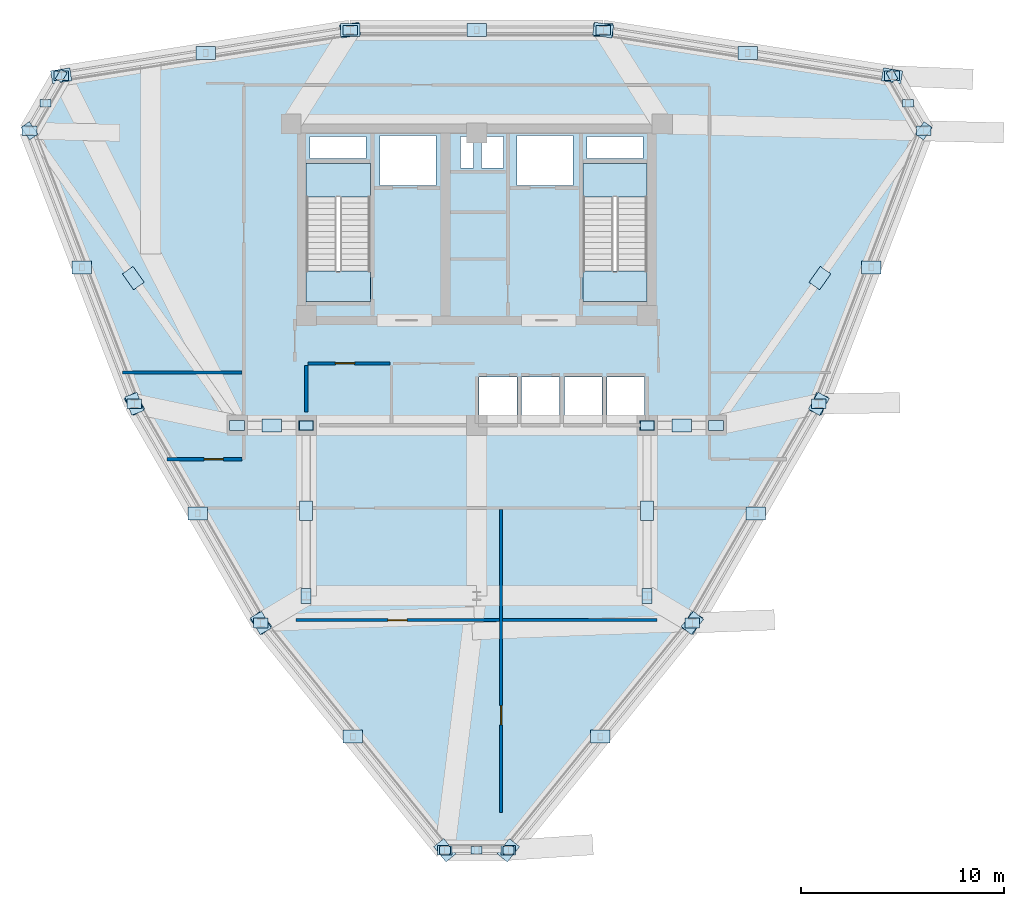
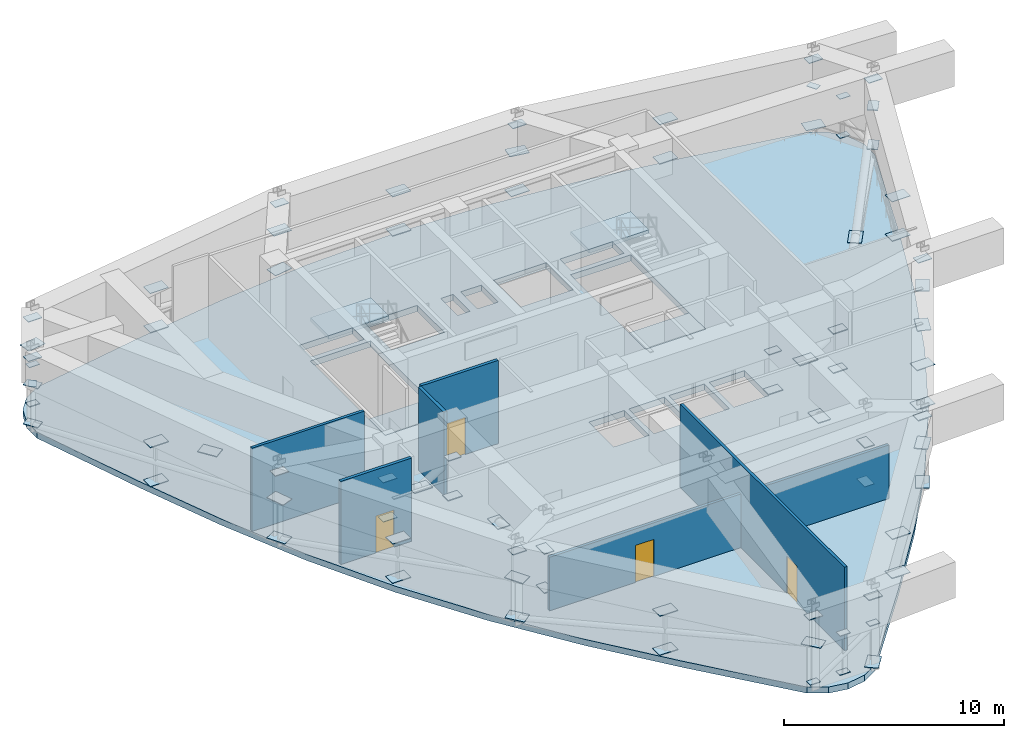
# One storey, part 7 of 12: 78 plates, 6 walls, 5 slabs, 4 doors, 4 openings, 2 elements without a shape of their own.
"""IFC4 building model written with IfcOpenShell, lengths in metres."""

from ifc_helpers import new_model, si_unit, derived_unit, direction, frame, frame_2d, origin, origin_2d, place, context, subcontext, project, spatial, polyline, rectangle, outline, extrude, source, transform, mapped, material, layer, layer_set, type_object, element, fill, aggregate, save


model = new_model("IFC4")

# Units and contexts
model_context = context("Model", 3, precision=1e-05, world=origin(), true_north=direction((0.0, 1.0)))
body_context = subcontext(model_context, "Body", "Model", "MODEL_VIEW")
ifc_project = project(units=[si_unit("LENGTHUNIT", "METRE"), si_unit("AREAUNIT", "SQUARE_METRE"), si_unit("VOLUMEUNIT", "CUBIC_METRE"), si_unit("PLANEANGLEUNIT", "RADIAN"), si_unit("MASSUNIT", "GRAM", prefix="KILO"), derived_unit("THERMALTRANSMITTANCEUNIT", [(si_unit("POWERUNIT", "WATT"), 1), (si_unit("LENGTHUNIT", "METRE"), -2), (si_unit("THERMODYNAMICTEMPERATUREUNIT", "KELVIN"), -1)])], contexts=[model_context])

# Site, building, storey
site_placement = place(None, origin())
site = spatial("IfcSite", under=ifc_project, at=site_placement, CompositionType="ELEMENT")
building_placement = place(site_placement, origin())
building = spatial("IfcBuilding", under=site, at=building_placement, Name="Korsvarv Bourse and Concert Hall", CompositionType="ELEMENT")
storey_placement = place(building_placement, frame((0.0, 0.0, 201.0)))
storey = spatial("IfcBuildingStorey", under=building, at=storey_placement, Name="L52", CompositionType="ELEMENT", Elevation=201.0)

# Slabs
ifc_material_1 = material(Name="Precast concrete C45/55", Category="concrete")
ifc_layer_1 = layer(ifc_material_1, 0.199951171875)
ifc_layer_set_1 = layer_set([ifc_layer_1], Name="Precast concrete C45/55")
slab_type_1 = type_object("IfcSlabType", Name="SLB-FLND-T", PredefinedType="LANDING", material=ifc_layer_set_1)
slab_1_placement = place(storey_placement, frame((0.0, 0.0, -0.199951171875)))
element("IfcSlab", 1, at=slab_1_placement, inside=storey, type_object=slab_type_1, Name="L52 Stair ST-T1 Floor Landing Slab", PredefinedType="LANDING", context=body_context, shape_type="SweptSolid", body=[
    extrude(outline(polyline([(30.760009765625, 38.5), (30.760009765625, 40.0), (27.60009765625, 40.0), (27.60009765625, 38.5), (30.760009765625, 38.5)])), origin(), (0.0, 0.0, 1.0), 0.199951171875),
])
slab_2_placement = place(storey_placement, frame((0.0, 0.0, -0.199951171875)))
element("IfcSlab", 2, at=slab_2_placement, inside=storey, type_object=slab_type_1, Name="L52 Stair ST-T2 Floor Landing Slab", PredefinedType="LANDING", context=body_context, shape_type="SweptSolid", body=[
    extrude(outline(polyline([(44.39990234375, 38.5), (44.39990234375, 40.0), (41.239990234375, 40.0), (41.239990234375, 38.5), (44.39990234375, 38.5)])), origin(), (0.0, 0.0, 1.0), 0.199951171875),
])
ifc_material_2 = material(Name="Concrete C55/67", Category="concrete")
ifc_layer_2 = layer(ifc_material_2, 0.340087890625)
ifc_layer_set_2 = layer_set([ifc_layer_2], Name="Concrete C55/67")
slab_type_2 = type_object("IfcSlabType", Name="SLB-REF", PredefinedType="FLOOR", material=ifc_layer_set_2)
slab_3_placement = place(storey_placement, frame((0.0, 0.0, -0.340087890625)))
element("IfcSlab", 3, at=slab_3_placement, inside=storey, type_object=slab_type_2, Name="L52 tower structural floor slab", PredefinedType="FLOOR", context=body_context, shape_type="SweptSolid", body=[
    extrude(outline(polyline([(57.580810546875, 45.571044921875), (55.926025390625, 40.9873046875), (54.166015625, 36.489013671875), (52.205078125, 32.126953125), (49.977294921875, 27.93017578125), (47.45654296875, 23.902587890625), (44.659423828125, 20.023193359375), (41.64404296875, 16.25), (38.501708984375, 12.52490234375), (38.5, 12.523193359375), (37.781494140625, 11.6669921875), (36.947998046875, 11.185791015625), (36.0, 11.0185546875), (35.052001953125, 11.185791015625), (34.218505859375, 11.6669921875), (33.5, 12.523193359375), (33.498291015625, 12.52490234375), (30.35595703125, 16.25), (27.340576171875, 20.023193359375), (24.54345703125, 23.902587890625), (22.022705078125, 27.93017578125), (19.794921875, 32.126953125), (17.833984375, 36.489013671875), (16.073974609375, 40.9873046875), (14.419189453125, 45.571044921875), (14.41845703125, 45.5732421875), (14.0361328125, 46.62353515625), (14.0361328125, 47.586181640625), (14.365478515625, 48.49072265625), (14.984130859375, 49.22802734375), (15.81787109375, 49.70947265625), (16.918701171875, 49.903564453125), (16.9208984375, 49.904052734375), (21.718017578125, 50.762939453125), (26.493408203125, 51.48779296875), (31.251708984375, 51.970458984375), (36.0, 52.1396484375), (40.748291015625, 51.970458984375), (45.506591796875, 51.48779296875), (50.281982421875, 50.762939453125), (55.0791015625, 49.904052734375), (55.081298828125, 49.903564453125), (56.18212890625, 49.70947265625), (57.015869140625, 49.22802734375), (57.634521484375, 48.49072265625), (57.9638671875, 47.586181640625), (57.9638671875, 46.62353515625), (57.58154296875, 45.5732421875), (57.580810546875, 45.571044921875)]), holes=[polyline([(30.760009765625, 38.5), (30.760009765625, 45.300048828125), (27.60009765625, 45.300048828125), (27.60009765625, 38.5), (30.760009765625, 38.5)]), polyline([(44.39990234375, 38.5), (44.39990234375, 45.300048828125), (41.239990234375, 45.300048828125), (41.239990234375, 38.5), (44.39990234375, 38.5)]), polyline([(31.239990234375, 44.219970703125), (34.0, 44.219970703125), (34.0, 46.679931640625), (31.239990234375, 46.679931640625), (31.239990234375, 44.219970703125)]), polyline([(38.0, 44.219970703125), (40.760009765625, 44.219970703125), (40.760009765625, 46.679931640625), (38.0, 46.679931640625), (38.0, 44.219970703125)]), polyline([(36.1201171875, 32.52001953125), (37.97998046875, 32.52001953125), (37.97998046875, 34.780029296875), (36.1201171875, 34.780029296875), (36.1201171875, 32.52001953125)]), polyline([(38.219970703125, 32.52001953125), (40.080078125, 32.52001953125), (40.080078125, 34.780029296875), (38.219970703125, 34.780029296875), (38.219970703125, 32.52001953125)]), polyline([(40.320068359375, 32.52001953125), (42.179931640625, 32.52001953125), (42.179931640625, 34.780029296875), (40.320068359375, 34.780029296875), (40.320068359375, 32.52001953125)]), polyline([(42.419921875, 32.52001953125), (44.280029296875, 32.52001953125), (44.280029296875, 34.780029296875), (42.419921875, 34.780029296875), (42.419921875, 32.52001953125)]), polyline([(27.800048828125, 45.56005859375), (30.56005859375, 45.56005859375), (30.56005859375, 46.6201171875), (27.800048828125, 46.6201171875), (27.800048828125, 45.56005859375)]), polyline([(41.43994140625, 45.56005859375), (44.199951171875, 45.56005859375), (44.199951171875, 46.6201171875), (41.43994140625, 46.6201171875), (41.43994140625, 45.56005859375)]), polyline([(35.199951171875, 45.080078125), (35.840087890625, 45.080078125), (35.840087890625, 46.6201171875), (35.199951171875, 46.6201171875), (35.199951171875, 45.080078125)]), polyline([(36.239990234375, 45.080078125), (37.320068359375, 45.080078125), (37.320068359375, 46.6201171875), (36.239990234375, 46.6201171875), (36.239990234375, 45.080078125)])]), origin(), (0.0, 0.0, 1.0), 0.340087890625),
])

# Stair, slab
stair_type = type_object("IfcStairType", Name="STR-TYPE-02", PredefinedType="HALF_TURN_STAIR", material=ifc_material_1)
stair_1_placement = place(storey_placement, origin())
stair_1 = element("IfcStair", 4, at=stair_1_placement, inside=storey, type_object=stair_type, Name="L52 Tower West Exit Stair ST-T1", PredefinedType="HALF_TURN_STAIR")
ifc_layer_3 = layer(ifc_material_1, 0.199951171875)
ifc_layer_set_3 = layer_set([ifc_layer_3], Name="Precast concrete C45/55")
slab_type_3 = type_object("IfcSlabType", Name="SLB-ST-LND", PredefinedType="LANDING", material=ifc_layer_set_3)
slab_4_placement = place(storey_placement, frame((0.0, 0.0, 2.199951171875)))
slab_4 = element("IfcSlab", 5, at=slab_4_placement, type_object=slab_type_3, Name="ST-T1 landing 1", PredefinedType="LANDING", context=body_context, shape_type="SweptSolid", body=[
    extrude(outline(polyline([(30.760009765625, 43.639892578125), (30.760009765625, 45.300048828125), (27.60009765625, 45.300048828125), (27.60009765625, 43.639892578125), (30.760009765625, 43.639892578125)])), origin(), (0.0, 0.0, 1.0), 0.199951171875),
])
aggregate(stair_1, [slab_4])

stair_2_placement = place(storey_placement, origin())
stair_2 = element("IfcStair", 6, at=stair_2_placement, inside=storey, type_object=stair_type, Name="L52 Tower East Exit Stair ST-T2", PredefinedType="HALF_TURN_STAIR")
slab_5_placement = place(storey_placement, frame((0.0, 0.0, 2.199951171875)))
slab_5 = element("IfcSlab", 7, at=slab_5_placement, type_object=slab_type_3, Name="ST-T2 landing 1", PredefinedType="LANDING", context=body_context, shape_type="SweptSolid", body=[
    extrude(outline(polyline([(44.39990234375, 43.639892578125), (44.39990234375, 45.300048828125), (41.239990234375, 45.300048828125), (41.239990234375, 43.639892578125), (44.39990234375, 43.639892578125)])), origin(), (0.0, 0.0, 1.0), 0.199951171875),
])
aggregate(stair_2, [slab_5])

# Plates
ifc_material_3 = material(Name="Steel S460", Category="steel")
ifc_layer_4 = layer(ifc_material_3, 0.033935546875)
ifc_layer_set_4 = layer_set([ifc_layer_4], Name="Steel S460")
plate_type_1 = type_object("IfcPlateType", Name="PLT-KN5", PredefinedType="SHEET", material=ifc_layer_set_4)
shared_shape_1 = source(origin(), body_context, "Body", "SweptSolid", [
    extrude(rectangle(XDim=0.719970703125, YDim=0.47998046875, at=origin_2d()), origin(), (0.0, 0.0, 1.0), 0.033935546875),
])
for number, where, z_axis, x_axis, name in (
    (8, (58.0302734375, 46.912353515625, 4.0029296875), (0.0, 0.0, 1.0), (1.0, 0.0, 0.0), "L52 Block-Shift Transfer Splice Plate KN5-1"),
    (9, (56.465576171875, 49.62255859375, 4.0029296875), (0.0, 0.0, 1.0), (1.0, 0.0, 0.0), "L52 Block-Shift Transfer Splice Plate KN5-2"),
    (10, (42.233154296875, 51.871826171875, 4.0029296875), (0.0, 0.0, 1.0), (1.0, 0.0, 0.0), "L52 Block-Shift Transfer Splice Plate KN5-3"),
    (11, (29.766845703125, 51.871826171875, 4.0029296875), (0.0, 0.0, 1.0), (1.0, 0.0, 0.0), "L52 Block-Shift Transfer Splice Plate KN5-4"),
    (12, (15.534423828125, 49.62255859375, 4.0029296875), (0.0, 0.0, 1.0), (1.0, 0.0, 0.0), "L52 Block-Shift Transfer Splice Plate KN5-5"),
    (13, (13.9697265625, 46.912353515625, 4.0029296875), (0.0, 0.0, 1.0), (1.0, 0.0, 0.0), "L52 Block-Shift Transfer Splice Plate KN5-6"),
    (14, (19.13818359375, 33.462158203125, 4.0029296875), (0.0, 0.0, 1.0), (1.0, 0.0, 0.0), "L52 Block-Shift Transfer Splice Plate KN5-7"),
    (15, (25.37109375, 22.666015625, 4.0029296875), (0.0, 0.0, 1.0), (1.0, 0.0, 0.0), "L52 Block-Shift Transfer Splice Plate KN5-8"),
    (16, (37.564697265625, 11.465087890625, 4.0029296875), (0.0, 0.0, 1.0), (1.0, 0.0, 0.0), "L52 Block-Shift Transfer Splice Plate KN5-10"),
    (17, (34.435302734375, 11.465087890625, 4.0029296875), (0.0, 0.0, 1.0), (1.0, 0.0, 0.0), "L52 Block-Shift Transfer Splice Plate KN5-9"),
    (18, (46.62890625, 22.666015625, 4.0029296875), (0.0, 0.0, 1.0), (1.0, 0.0, 0.0), "L52 Block-Shift Transfer Splice Plate KN5-11"),
    (19, (52.86181640625, 33.462158203125, 4.0029296875), (0.0, 0.0, 1.0), (1.0, 0.0, 0.0), "L52 Block-Shift Transfer Splice Plate KN5-12"),
):
    element("IfcPlate", number, at=place(storey_placement, frame(where, z_axis=z_axis, x_axis=x_axis)), inside=storey, type_object=plate_type_1, Name=name, PredefinedType="SHEET", context=body_context, shape_type="MappedRepresentation", body=[
        mapped(shared_shape_1, transform((0.0, 0.0, 0.0), scale=1.0)),
    ])
ifc_layer_5 = layer(ifc_material_3, 0.034912109375)
ifc_layer_set_5 = layer_set([ifc_layer_5], Name="Steel S460")
plate_type_2 = type_object("IfcPlateType", Name="PLT-KN1", PredefinedType="SHEET", material=ifc_layer_set_5)
shared_shape_2 = source(origin(), body_context, "Body", "SweptSolid", [
    extrude(rectangle(XDim=0.75, YDim=0.5, at=origin_2d()), origin(), (0.0, 0.0, 1.0), 0.034912109375),
])
for number, where, z_axis, x_axis, name in (
    (20, (27.60009765625, 32.39990234375, 0.33251953125), (0.0, 0.0, 1.0), (1.0, 0.0, 0.0), "L52 node cap plate KN1"),
    (21, (24.199951171875, 32.39990234375, 0.33251953125), (0.0, 0.0, 1.0), (1.0, 0.0, 0.0), "L52 node cap plate KN1"),
    (22, (24.199951171875, 32.39990234375, 2.50244140625), (0.0, 0.0, 1.0), (1.0, 0.0, 0.0), "L52 node cap plate KN1"),
    (23, (13.9697265625, 46.912353515625, 0.33251953125), (0.0, 0.0, 1.0), (-0.576147043678, 0.817346061384, 0.0), "L52 node cap plate KN1"),
    (24, (13.9697265625, 46.912353515625, 2.50244140625), (0.0, 0.0, 1.0), (-0.576147043678, 0.817346061384, 0.0), "L52 node cap plate KN1"),
    (25, (44.39990234375, 32.39990234375, 0.33251953125), (0.0, 0.0, 1.0), (1.0, 0.0, 0.0), "L52 node cap plate KN1"),
    (26, (47.800048828125, 32.39990234375, 0.33251953125), (0.0, 0.0, 1.0), (1.0, 0.0, 0.0), "L52 node cap plate KN1"),
    (27, (47.800048828125, 32.39990234375, 2.50244140625), (0.0, 0.0, 1.0), (1.0, 0.0, 0.0), "L52 node cap plate KN1"),
    (28, (58.0302734375, 46.912353515625, 0.33251953125), (0.0, 0.0, 1.0), (0.576147043678, 0.817346061384, 0.0), "L52 node cap plate KN1"),
    (29, (58.0302734375, 46.912353515625, 2.50244140625), (0.0, 0.0, 1.0), (0.576147043678, 0.817346061384, 0.0), "L52 node cap plate KN1"),
    (30, (27.60009765625, 24.0, 0.33251953125), (0.0, 0.0, 1.0), (0.0, 1.0, 0.0), "L52 node cap plate KN1"),
    (31, (27.60009765625, 24.0, 2.50244140625), (0.0, 0.0, 1.0), (0.0, 1.0, 0.0), "L52 node cap plate KN1"),
    (32, (44.39990234375, 24.0, 0.33251953125), (0.0, 0.0, 1.0), (0.0, 1.0, 0.0), "L52 node cap plate KN1"),
    (33, (44.39990234375, 24.0, 2.50244140625), (0.0, 0.0, 1.0), (0.0, 1.0, 0.0), "L52 node cap plate KN1"),
):
    element("IfcPlate", number, at=place(storey_placement, frame(where, z_axis=z_axis, x_axis=x_axis)), inside=storey, type_object=plate_type_2, Name=name, PredefinedType="SHEET", context=body_context, shape_type="MappedRepresentation", body=[
        mapped(shared_shape_2, transform((0.0, 0.0, 0.0), scale=1.0)),
    ])
ifc_layer_6 = layer(ifc_material_3, 0.028076171875)
ifc_layer_set_6 = layer_set([ifc_layer_6], Name="Steel S460")
plate_type_3 = type_object("IfcPlateType", Name="PLT-KN3", PredefinedType="SHEET", material=ifc_layer_set_6)
shared_shape_3 = source(origin(), body_context, "Body", "SweptSolid", [
    extrude(rectangle(XDim=0.9599609375, YDim=0.639892578125, at=origin_2d()), origin(), (0.0, 0.0, 1.0), 0.028076171875),
])
for number, where, z_axis, x_axis, name in (
    (34, (25.89990234375, 32.39990234375, 1.4208984375), (0.0, 0.0, 1.0), (1.0, 0.0, 0.0), "L52 node cap plate KN3"),
    (35, (19.0849609375, 39.65625, 1.4208984375), (0.0, 0.0, 1.0), (-0.576147043678, 0.817346061384, 0.0), "L52 node cap plate KN3"),
    (36, (46.10009765625, 32.39990234375, 1.4208984375), (0.0, 0.0, 1.0), (1.0, 0.0, 0.0), "L52 node cap plate KN3"),
    (37, (52.9150390625, 39.65625, 1.4208984375), (0.0, 0.0, 1.0), (0.576147043678, 0.817346061384, 0.0), "L52 node cap plate KN3"),
    (38, (27.60009765625, 28.199951171875, 1.4208984375), (0.0, 0.0, 1.0), (0.0, 1.0, 0.0), "L52 node cap plate KN3"),
    (39, (44.39990234375, 28.199951171875, 1.4208984375), (0.0, 0.0, 1.0), (0.0, 1.0, 0.0), "L52 node cap plate KN3"),
    (40, (56.465576171875, 49.62255859375, 0.3359375), (0.0, 0.0, 1.0), (-0.98774288635, 0.156089687246, 0.0), "L52 node cap plate KN3"),
    (41, (42.233154296875, 51.871826171875, 2.505859375), (0.0, 0.0, 1.0), (-0.98774288635, 0.156089687246, 0.0), "L52 node cap plate KN3"),
    (42, (49.349365234375, 50.747314453125, 0.3359375), (0.0, 0.0, 1.0), (1.0, 0.0, 0.0), "L52 node cap plate KN3"),
    (43, (49.349365234375, 50.747314453125, 2.505859375), (0.0, 0.0, 1.0), (1.0, 0.0, 0.0), "L52 node cap plate KN3"),
    (44, (42.233154296875, 51.871826171875, 0.3359375), (0.0, 0.0, 1.0), (1.0, 0.0, 0.0), "L52 node cap plate KN3"),
    (45, (29.766845703125, 51.871826171875, 2.505859375), (0.0, 0.0, 1.0), (1.0, 0.0, 0.0), "L52 node cap plate KN3"),
    (46, (36.0, 51.871826171875, 0.3359375), (0.0, 0.0, 1.0), (1.0, 0.0, 0.0), "L52 node cap plate KN3"),
    (47, (36.0, 51.871826171875, 2.505859375), (0.0, 0.0, 1.0), (1.0, 0.0, 0.0), "L52 node cap plate KN3"),
    (48, (29.766845703125, 51.871826171875, 0.3359375), (0.0, 0.0, 1.0), (0.98774288635, 0.156089687246, 0.0), "L52 node cap plate KN3"),
    (49, (15.534423828125, 49.62255859375, 2.505859375), (0.0, 0.0, 1.0), (0.98774288635, 0.156089687246, 0.0), "L52 node cap plate KN3"),
    (50, (22.650634765625, 50.747314453125, 0.3359375), (0.0, 0.0, 1.0), (1.0, 0.0, 0.0), "L52 node cap plate KN3"),
    (51, (22.650634765625, 50.747314453125, 2.505859375), (0.0, 0.0, 1.0), (1.0, 0.0, 0.0), "L52 node cap plate KN3"),
    (52, (19.13818359375, 33.462158203125, 2.505859375), (0.0, 0.0, 1.0), (-0.358693808751, 0.93345527561, 0.0), "L52 node cap plate KN3"),
    (53, (16.553955078125, 40.187255859375, 0.3359375), (0.0, 0.0, 1.0), (1.0, 0.0, 0.0), "L52 node cap plate KN3"),
    (54, (16.553955078125, 40.187255859375, 2.505859375), (0.0, 0.0, 1.0), (1.0, 0.0, 0.0), "L52 node cap plate KN3"),
    (55, (19.13818359375, 33.462158203125, 0.3359375), (0.0, 0.0, 1.0), (-0.5, 0.866025403784, 0.0), "L52 node cap plate KN3"),
    (56, (25.37109375, 22.666015625, 2.505859375), (0.0, 0.0, 1.0), (-0.5, 0.866025403784, 0.0), "L52 node cap plate KN3"),
    (57, (22.254638671875, 28.064208984375, 0.3359375), (0.0, 0.0, 1.0), (1.0, 0.0, 0.0), "L52 node cap plate KN3"),
    (58, (22.254638671875, 28.064208984375, 2.505859375), (0.0, 0.0, 1.0), (1.0, 0.0, 0.0), "L52 node cap plate KN3"),
    (59, (25.37109375, 22.666015625, 0.3359375), (0.0, 0.0, 1.0), (-0.629049077599, 0.777365588364, 0.0), "L52 node cap plate KN3"),
    (60, (34.435302734375, 11.465087890625, 2.505859375), (0.0, 0.0, 1.0), (-0.629049077599, 0.777365588364, 0.0), "L52 node cap plate KN3"),
    (61, (29.9033203125, 17.065673828125, 0.3359375), (0.0, 0.0, 1.0), (1.0, 0.0, 0.0), "L52 node cap plate KN3"),
    (62, (29.9033203125, 17.065673828125, 2.505859375), (0.0, 0.0, 1.0), (1.0, 0.0, 0.0), "L52 node cap plate KN3"),
    (63, (37.564697265625, 11.465087890625, 0.3359375), (0.0, 0.0, 1.0), (0.629049077599, 0.777365588364, 0.0), "L52 node cap plate KN3"),
    (64, (46.62890625, 22.666015625, 2.505859375), (0.0, 0.0, 1.0), (0.629049077599, 0.777365588364, 0.0), "L52 node cap plate KN3"),
    (65, (42.0966796875, 17.065673828125, 0.3359375), (0.0, 0.0, 1.0), (1.0, 0.0, 0.0), "L52 node cap plate KN3"),
    (66, (42.0966796875, 17.065673828125, 2.505859375), (0.0, 0.0, 1.0), (1.0, 0.0, 0.0), "L52 node cap plate KN3"),
    (67, (46.62890625, 22.666015625, 0.3359375), (0.0, 0.0, 1.0), (0.5, 0.866025403784, 0.0), "L52 node cap plate KN3"),
    (68, (52.86181640625, 33.462158203125, 2.505859375), (0.0, 0.0, 1.0), (0.5, 0.866025403784, 0.0), "L52 node cap plate KN3"),
    (69, (49.745361328125, 28.064208984375, 0.3359375), (0.0, 0.0, 1.0), (1.0, 0.0, 0.0), "L52 node cap plate KN3"),
    (70, (49.745361328125, 28.064208984375, 2.505859375), (0.0, 0.0, 1.0), (1.0, 0.0, 0.0), "L52 node cap plate KN3"),
    (71, (52.86181640625, 33.462158203125, 0.3359375), (0.0, 0.0, 1.0), (0.358693808751, 0.93345527561, 0.0), "L52 node cap plate KN3"),
    (72, (55.446044921875, 40.187255859375, 0.3359375), (0.0, 0.0, 1.0), (1.0, 0.0, 0.0), "L52 node cap plate KN3"),
    (73, (55.446044921875, 40.187255859375, 2.505859375), (0.0, 0.0, 1.0), (1.0, 0.0, 0.0), "L52 node cap plate KN3"),
):
    element("IfcPlate", number, at=place(storey_placement, frame(where, z_axis=z_axis, x_axis=x_axis)), inside=storey, type_object=plate_type_3, Name=name, PredefinedType="SHEET", context=body_context, shape_type="MappedRepresentation", body=[
        mapped(shared_shape_3, transform((0.0, 0.0, 0.0), scale=1.0)),
    ])
ifc_layer_7 = layer(ifc_material_3, 0.031982421875)
ifc_layer_set_7 = layer_set([ifc_layer_7], Name="Steel S460")
plate_type_4 = type_object("IfcPlateType", Name="PLT-KN2", PredefinedType="SHEET", material=ifc_layer_set_7)
shared_shape_4 = source(origin(), body_context, "Body", "SweptSolid", [
    extrude(rectangle(XDim=0.659912109375, YDim=0.43994140625, at=origin_2d()), origin(), (0.0, 0.0, 1.0), 0.031982421875),
])
for number, where, z_axis, x_axis, name in (
    (74, (27.60009765625, 32.39990234375, 2.50390625), (0.0, 0.0, 1.0), (1.0, 0.0, 0.0), "L52 node cap plate KN2"),
    (75, (44.39990234375, 32.39990234375, 2.50390625), (0.0, 0.0, 1.0), (1.0, 0.0, 0.0), "L52 node cap plate KN2"),
):
    element("IfcPlate", number, at=place(storey_placement, frame(where, z_axis=z_axis, x_axis=x_axis)), inside=storey, type_object=plate_type_4, Name=name, PredefinedType="SHEET", context=body_context, shape_type="MappedRepresentation", body=[
        mapped(shared_shape_4, transform((0.0, 0.0, 0.0), scale=1.0)),
    ])
ifc_layer_8 = layer(ifc_material_3, 0.02587890625)
ifc_layer_set_8 = layer_set([ifc_layer_8], Name="Steel S460")
plate_type_5 = type_object("IfcPlateType", Name="PLT-KN4", PredefinedType="SHEET", material=ifc_layer_set_8)
shared_shape_5 = source(origin(), body_context, "Body", "SweptSolid", [
    extrude(rectangle(XDim=0.5400390625, YDim=0.360107421875, at=origin_2d()), origin(), (0.0, 0.0, 1.0), 0.02587890625),
])
for number, where, z_axis, x_axis, name in (
    (76, (56.465576171875, 49.62255859375, 2.507080078125), (0.0, 0.0, 1.0), (-0.5, 0.866025403784, 0.0), "L52 node cap plate KN4"),
    (77, (57.247802734375, 48.267333984375, 0.337158203125), (0.0, 0.0, 1.0), (1.0, 0.0, 0.0), "L52 node cap plate KN4"),
    (78, (57.247802734375, 48.267333984375, 2.507080078125), (0.0, 0.0, 1.0), (1.0, 0.0, 0.0), "L52 node cap plate KN4"),
    (79, (15.534423828125, 49.62255859375, 0.337158203125), (0.0, 0.0, 1.0), (0.5, 0.866025403784, 0.0), "L52 node cap plate KN4"),
    (80, (14.752197265625, 48.267333984375, 0.337158203125), (0.0, 0.0, 1.0), (1.0, 0.0, 0.0), "L52 node cap plate KN4"),
    (81, (14.752197265625, 48.267333984375, 2.507080078125), (0.0, 0.0, 1.0), (1.0, 0.0, 0.0), "L52 node cap plate KN4"),
    (82, (34.435302734375, 11.465087890625, 0.337158203125), (0.0, 0.0, 1.0), (1.0, 0.0, 0.0), "L52 node cap plate KN4"),
    (83, (37.564697265625, 11.465087890625, 2.507080078125), (0.0, 0.0, 1.0), (1.0, 0.0, 0.0), "L52 node cap plate KN4"),
    (84, (36.0, 11.465087890625, 0.337158203125), (0.0, 0.0, 1.0), (1.0, 0.0, 0.0), "L52 node cap plate KN4"),
    (85, (36.0, 11.465087890625, 2.507080078125), (0.0, 0.0, 1.0), (1.0, 0.0, 0.0), "L52 node cap plate KN4"),
):
    element("IfcPlate", number, at=place(storey_placement, frame(where, z_axis=z_axis, x_axis=x_axis)), inside=storey, type_object=plate_type_5, Name=name, PredefinedType="SHEET", context=body_context, shape_type="MappedRepresentation", body=[
        mapped(shared_shape_5, transform((0.0, 0.0, 0.0), scale=1.0)),
    ])

# Wall
ifc_material_4 = material(Name="Double-stud fire-rated acoustic partition", Category="gypsum")
ifc_layer_9 = layer(ifc_material_4, 0.159912109375)
ifc_layer_set_9 = layer_set([ifc_layer_9], Name="Double-stud fire-rated acoustic partition")
wall_type_1 = type_object("IfcWallType", Name="WL-INT-EI60", PredefinedType="PARTITIONING", material=ifc_layer_set_9)
wall_1_placement = place(storey_placement, frame((27.60009765625, 33.050048828125, 0.0), z_axis=(0.0, 0.0, 1.0), x_axis=(0.0, 1.0, 0.0)))
element("IfcWall", 86, at=wall_1_placement, inside=storey, type_object=wall_type_1, Name="L52 interior partition wall W-L52-FRD-W", PredefinedType="PARTITIONING", context=body_context, shape_type="SweptSolid", body=[
    extrude(rectangle(XDim=2.31005859375, YDim=0.159912109375, at=frame_2d((1.155029296875, 0.0))), origin(), (0.0, 0.0, 1.0), 4.610107421875),
])

# Wall, opening, door
wall_2_placement = place(storey_placement, frame((27.68994140625, 35.449951171875, 0.0), z_axis=(0.0, 0.0, 1.0), x_axis=(1.0, 0.0, 0.0)))
wall_2 = element("IfcWall", 87, at=wall_2_placement, inside=storey, type_object=wall_type_1, Name="L52 interior partition wall W-L52-FRD-N1", PredefinedType="PARTITIONING", context=body_context, shape_type="SweptSolid", body=[
    extrude(rectangle(XDim=4.030029296875, YDim=0.159912109375, at=frame_2d((2.01513671875, 0.0))), origin(), (0.0, 0.0, 1.0), 4.610107421875),
])
opening_1_placement = place(wall_2_placement, frame((1.35009765625, 0.0, 0.0)))
opening_1 = element("IfcOpeningElement", 88, at=opening_1_placement, cuts=wall_2, Name="Opening D-03", PredefinedType="OPENING", context=body_context, shape_type="SweptSolid", body=[
    extrude(rectangle(XDim=0.949951171875, YDim=2.050048828125, at=frame_2d((0.47509765625, 1.02490234375))), frame((0.0, 0.08984375, 0.0), z_axis=(0.0, -1.0, 0.0), x_axis=(1.0, 0.0, 0.0)), (0.0, 0.0, 1.0), 0.179931640625),
])
ifc_material_5 = material(Name="Nordic oak acoustic office door", Category="wood")
door_type_1 = type_object("IfcDoorType", Name="DR-INT-1", OperationType="NOTDEFINED", PredefinedType="DOOR", material=ifc_material_5)
door_1_placement = place(opening_1_placement, origin())
door_1 = element("IfcDoor", 89, at=door_1_placement, inside=storey, type_object=door_type_1, Name="L52 interior door DR-L52-FRDN1", OperationType="SINGLE_SWING_RIGHT", OverallHeight=2.050048828125, OverallWidth=0.949951171875, PredefinedType="DOOR", context=body_context, shape_type="SweptSolid", body=[
    extrude(rectangle(XDim=0.949951171875, YDim=2.050048828125, at=frame_2d((0.47509765625, 1.02490234375))), frame((0.0, 0.02490234375, 0.0), z_axis=(0.0, -1.0, 0.0), x_axis=(1.0, 0.0, 0.0)), (0.0, 0.0, 1.0), 0.050048828125),
])
fill(opening_1, door_1)

wall_3_placement = place(storey_placement, frame((20.73828125, 30.72509765625, 0.0), z_axis=(0.0, 0.0, 1.0), x_axis=(1.0, 0.0, 0.0)))
wall_3 = element("IfcWall", 90, at=wall_3_placement, inside=storey, type_object=wall_type_1, Name="L52 interior partition wall W-L52-RCOR-06", PredefinedType="PARTITIONING", context=body_context, shape_type="SweptSolid", body=[
    extrude(rectangle(XDim=3.704833984375, YDim=0.159912109375, at=frame_2d((1.8525390625, 0.0))), origin(), (0.0, 0.0, 1.0), 4.610107421875),
])
opening_2_placement = place(wall_3_placement, frame((1.837646484375, 0.0, 0.0)))
opening_2 = element("IfcOpeningElement", 91, at=opening_2_placement, cuts=wall_3, Name="Opening D-02", PredefinedType="OPENING", context=body_context, shape_type="SweptSolid", body=[
    extrude(rectangle(XDim=0.949951171875, YDim=2.050048828125, at=frame_2d((0.47509765625, 1.02490234375))), frame((0.0, 0.08984375, 0.0), z_axis=(0.0, -1.0, 0.0), x_axis=(1.0, 0.0, 0.0)), (0.0, 0.0, 1.0), 0.179931640625),
])
ifc_material_6 = material(Name="Timber and steel acoustic fire door", Category="wood")
door_type_2 = type_object("IfcDoorType", Name="DR-FD30", OperationType="NOTDEFINED", PredefinedType="DOOR", material=ifc_material_6)
door_2_placement = place(opening_2_placement, origin())
door_2 = element("IfcDoor", 92, at=door_2_placement, inside=storey, type_object=door_type_2, Name="L52 interior door DR-L52-RCOR-PL12", OperationType="SINGLE_SWING_LEFT", OverallHeight=2.050048828125, OverallWidth=0.949951171875, PredefinedType="DOOR", context=body_context, shape_type="SweptSolid", body=[
    extrude(rectangle(XDim=0.949951171875, YDim=2.050048828125, at=frame_2d((0.47509765625, 1.02490234375))), frame((0.0, 0.02490234375, 0.0), z_axis=(0.0, -1.0, 0.0), x_axis=(1.0, 0.0, 0.0)), (0.0, 0.0, 1.0), 0.050048828125),
])
fill(opening_2, door_2)

ifc_material_7 = material(Name="Insulated steel-stud office acoustic partition", Category="gypsum")
ifc_layer_10 = layer(ifc_material_7, 0.139892578125)
ifc_layer_set_10 = layer_set([ifc_layer_10], Name="Insulated steel-stud office acoustic partition")
wall_type_2 = type_object("IfcWallType", Name="WL-INT-P1", PredefinedType="PARTITIONING", material=ifc_layer_set_10)
wall_4_placement = place(storey_placement, frame((27.104736328125, 22.804931640625, 0.0), z_axis=(0.0, 0.0, 1.0), x_axis=(1.0, 0.0, 0.0)))
wall_4 = element("IfcWall", 93, at=wall_4_placement, inside=storey, type_object=wall_type_2, Name="L52 interior partition wall W-L52-RCOR-07", PredefinedType="PARTITIONING", context=body_context, shape_type="SweptSolid", body=[
    extrude(rectangle(XDim=17.79052734375, YDim=0.139892578125, at=frame_2d((8.895263671875, 0.0))), origin(), (0.0, 0.0, 1.0), 2.969970703125),
])
opening_3_placement = place(wall_4_placement, frame((4.5224609375, 0.0, 0.0)))
opening_3 = element("IfcOpeningElement", 94, at=opening_3_placement, cuts=wall_4, Name="Opening D-03", PredefinedType="OPENING", context=body_context, shape_type="SweptSolid", body=[
    extrude(rectangle(XDim=0.949951171875, YDim=2.050048828125, at=frame_2d((0.47509765625, 1.02490234375))), frame((0.0, 0.080078125, 0.0), z_axis=(0.0, -1.0, 0.0), x_axis=(1.0, 0.0, 0.0)), (0.0, 0.0, 1.0), 0.159912109375),
])
door_3_placement = place(opening_3_placement, origin())
door_3 = element("IfcDoor", 95, at=door_3_placement, inside=storey, type_object=door_type_1, Name="L52 interior door DR-L52-RCOR-PL35", OperationType="SINGLE_SWING_RIGHT", OverallHeight=2.050048828125, OverallWidth=0.949951171875, PredefinedType="DOOR", context=body_context, shape_type="SweptSolid", body=[
    extrude(rectangle(XDim=0.949951171875, YDim=2.050048828125, at=frame_2d((0.47509765625, 1.02490234375))), frame((0.0, 0.02490234375, 0.0), z_axis=(0.0, -1.0, 0.0), x_axis=(1.0, 0.0, 0.0)), (0.0, 0.0, 1.0), 0.050048828125),
])
fill(opening_3, door_3)

wall_5_placement = place(storey_placement, frame((37.205078125, 13.325927734375, 0.0), z_axis=(0.0, 0.0, 1.0), x_axis=(0.0, 1.0, 0.0)))
wall_5 = element("IfcWall", 96, at=wall_5_placement, inside=storey, type_object=wall_type_2, Name="L52 interior partition wall W-L52-RCOR-08", PredefinedType="PARTITIONING", context=body_context, shape_type="SweptSolid", body=[
    extrude(rectangle(XDim=14.9169921875, YDim=0.139892578125, at=frame_2d((7.45849609375, 0.0))), origin(), (0.0, 0.0, 1.0), 4.610107421875),
])
opening_4_placement = place(wall_5_placement, frame((4.31689453125, 0.0, 0.0)))
opening_4 = element("IfcOpeningElement", 97, at=opening_4_placement, cuts=wall_5, Name="Opening D-03", PredefinedType="OPENING", context=body_context, shape_type="SweptSolid", body=[
    extrude(rectangle(XDim=0.949951171875, YDim=2.050048828125, at=frame_2d((0.47509765625, 1.02490234375))), frame((0.0, 0.080078125, 0.0), z_axis=(0.0, -1.0, 0.0), x_axis=(1.0, 0.0, 0.0)), (0.0, 0.0, 1.0), 0.159912109375),
])
door_4_placement = place(opening_4_placement, origin())
door_4 = element("IfcDoor", 98, at=door_4_placement, inside=storey, type_object=door_type_1, Name="L52 interior door DR-L52-RCOR-PL46", OperationType="SINGLE_SWING_LEFT", OverallHeight=2.050048828125, OverallWidth=0.949951171875, PredefinedType="DOOR", context=body_context, shape_type="SweptSolid", body=[
    extrude(rectangle(XDim=0.949951171875, YDim=2.050048828125, at=frame_2d((0.47509765625, 1.02490234375))), frame((0.0, 0.02490234375, 0.0), z_axis=(0.0, -1.0, 0.0), x_axis=(1.0, 0.0, 0.0)), (0.0, 0.0, 1.0), 0.050048828125),
])
fill(opening_4, door_4)

# Wall
wall_6_placement = place(storey_placement, frame((18.565185546875, 35.0048828125, 0.0), z_axis=(0.0, 0.0, 1.0), x_axis=(1.0, 0.0, 0.0)))
element("IfcWall", 99, at=wall_6_placement, inside=storey, type_object=wall_type_2, Name="L52 interior partition wall W-L52-RCOR-10", PredefinedType="PARTITIONING", context=body_context, shape_type="SweptSolid", body=[
    extrude(rectangle(XDim=5.8779296875, YDim=0.139892578125, at=frame_2d((2.93896484375, 0.0))), origin(), (0.0, 0.0, 1.0), 4.610107421875),
])

save(model, "model.ifc")
